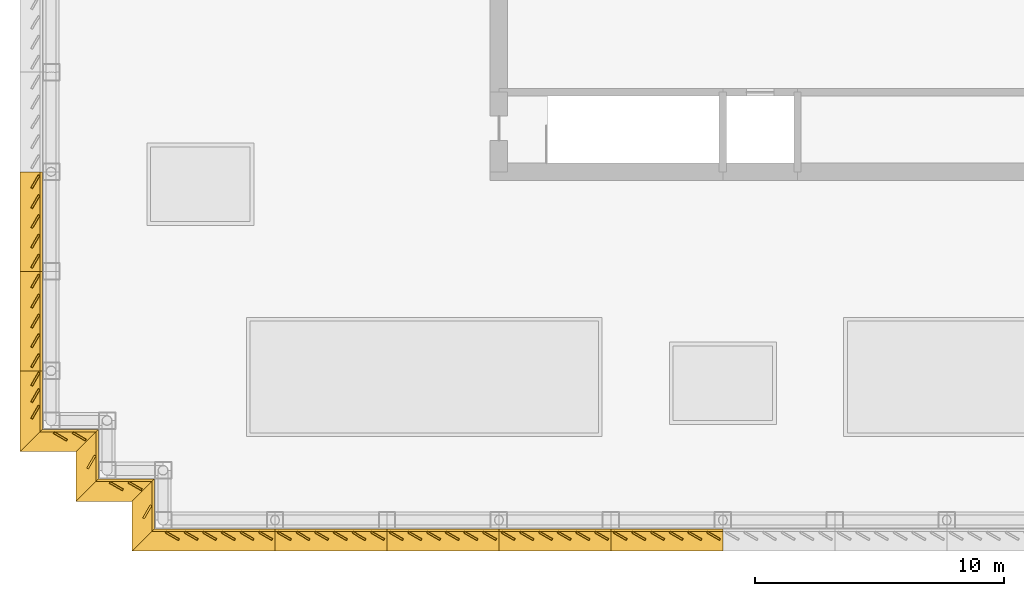
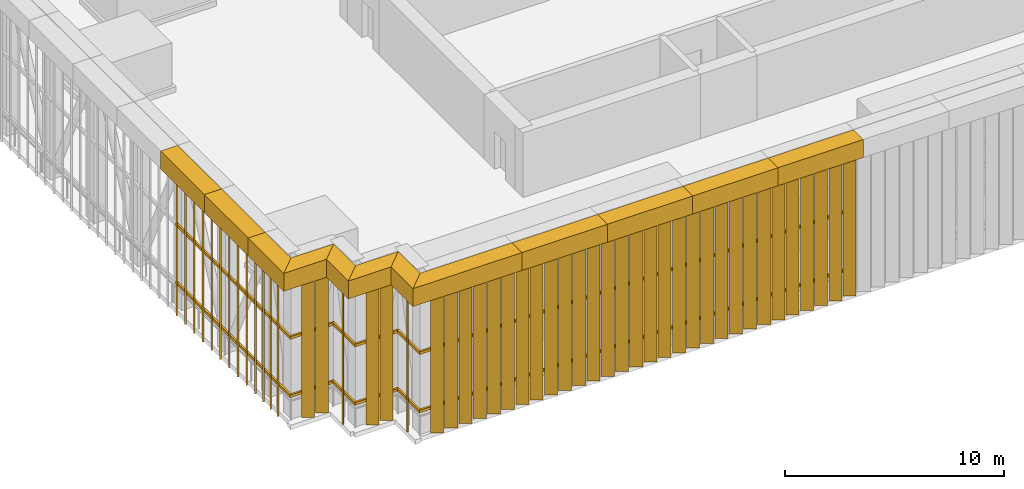
# One storey, part 3 of 11: 36 coverings.
"""IFC4 building model written with IfcOpenShell, lengths in metres."""

from ifc_helpers import new_model, si_unit, direction, frame, origin, place, context, subcontext, project, spatial, polyline, outline, extrude, material, layer, layer_set, type_object, element, save


model = new_model("IFC4")

# Units and contexts
model_context = context("Model", 3, precision=1e-05, world=origin(), true_north=direction((0.0, 1.0)))
body_context = subcontext(model_context, "Body", "Model", "MODEL_VIEW")
ifc_project = project(units=[si_unit("LENGTHUNIT", "METRE"), si_unit("AREAUNIT", "SQUARE_METRE"), si_unit("VOLUMEUNIT", "CUBIC_METRE"), si_unit("PLANEANGLEUNIT", "RADIAN"), si_unit("MASSUNIT", "GRAM", prefix="KILO")], contexts=[model_context])

# Site, building, storey
site_placement = place(None, origin())
site = spatial("IfcSite", under=ifc_project, at=site_placement, CompositionType="ELEMENT")
building_placement = place(site_placement, origin())
building = spatial("IfcBuilding", under=site, at=building_placement, Name="Rheinbord Bourse Tower", CompositionType="ELEMENT")
storey_placement = place(building_placement, frame((0.0, 0.0, 334.10009765625)))
storey = spatial("IfcBuildingStorey", under=building, at=storey_placement, Name="RF", CompositionType="ELEMENT", Elevation=334.10009765625)

# Coverings
ifc_material_1 = material(Name="Black aluminium coping on a steel frame", Category="steel")
ifc_layer_1 = layer(ifc_material_1, 1.0)
ifc_layer_set_1 = layer_set([ifc_layer_1], Name="CROWN CAP 900x1000")
covering_type_1 = type_object("IfcCoveringType", Name="CROWN CAP 900x1000", PredefinedType="USERDEFINED", material=ifc_layer_set_1)
covering_1_placement = place(storey_placement, frame((0.0, 0.0, 8.0)))
element("IfcCovering", 1, at=covering_1_placement, inside=storey, type_object=covering_type_1, Name="Crown cap SW-E-S-9", ObjectType="COPING", PredefinedType="USERDEFINED", context=body_context, shape_type="SweptSolid", body=[
    extrude(outline(polyline([(4.14990234375, 1.64990234375), (9.0, 1.64990234375), (9.0, 0.75), (3.25, 0.75), (4.14990234375, 1.64990234375)])), origin(), (0.0, 0.0, 1.0), 1.0),
])
covering_2_placement = place(storey_placement, frame((0.0, 0.0, 8.0)))
element("IfcCovering", 2, at=covering_2_placement, inside=storey, type_object=covering_type_1, Name="Crown cap S-9-S-13.5", ObjectType="COPING", PredefinedType="USERDEFINED", context=body_context, shape_type="SweptSolid", body=[
    extrude(outline(polyline([(9.0, 1.64990234375), (13.5, 1.64990234375), (13.5, 0.75), (9.0, 0.75), (9.0, 1.64990234375)])), origin(), (0.0, 0.0, 1.0), 1.0),
])
covering_3_placement = place(storey_placement, frame((0.0, 0.0, 8.0)))
element("IfcCovering", 3, at=covering_3_placement, inside=storey, type_object=covering_type_1, Name="Crown cap S-13.5-S-18", ObjectType="COPING", PredefinedType="USERDEFINED", context=body_context, shape_type="SweptSolid", body=[
    extrude(outline(polyline([(13.5, 1.64990234375), (18.0, 1.64990234375), (18.0, 0.75), (13.5, 0.75), (13.5, 1.64990234375)])), origin(), (0.0, 0.0, 1.0), 1.0),
])
covering_4_placement = place(storey_placement, frame((0.0, 0.0, 8.0)))
element("IfcCovering", 4, at=covering_4_placement, inside=storey, type_object=covering_type_1, Name="Crown cap S-18-S-22.5", ObjectType="COPING", PredefinedType="USERDEFINED", context=body_context, shape_type="SweptSolid", body=[
    extrude(outline(polyline([(18.0, 1.64990234375), (22.5, 1.64990234375), (22.5, 0.75), (18.0, 0.75), (18.0, 1.64990234375)])), origin(), (0.0, 0.0, 1.0), 1.0),
])
covering_5_placement = place(storey_placement, frame((0.0, 0.0, 8.0)))
element("IfcCovering", 5, at=covering_5_placement, inside=storey, type_object=covering_type_1, Name="Crown cap S-22.5-S-27", ObjectType="COPING", PredefinedType="USERDEFINED", context=body_context, shape_type="SweptSolid", body=[
    extrude(outline(polyline([(22.5, 1.64990234375), (27.0, 1.64990234375), (27.0, 0.75), (22.5, 0.75), (22.5, 1.64990234375)])), origin(), (0.0, 0.0, 1.0), 1.0),
])
covering_6_placement = place(storey_placement, frame((0.0, 0.0, 8.0)))
element("IfcCovering", 6, at=covering_6_placement, inside=storey, type_object=covering_type_1, Name="Crown cap W-16-W-12", ObjectType="COPING", PredefinedType="USERDEFINED", context=body_context, shape_type="SweptSolid", body=[
    extrude(outline(polyline([(-0.35009765625, 16.0), (-0.35009765625, 12.0), (-1.25, 12.0), (-1.25, 16.0), (-0.35009765625, 16.0)])), origin(), (0.0, 0.0, 1.0), 1.0),
])
covering_7_placement = place(storey_placement, frame((0.0, 0.0, 8.0)))
element("IfcCovering", 7, at=covering_7_placement, inside=storey, type_object=covering_type_1, Name="Crown cap W-12-W-8", ObjectType="COPING", PredefinedType="USERDEFINED", context=body_context, shape_type="SweptSolid", body=[
    extrude(outline(polyline([(-0.35009765625, 12.0), (-0.35009765625, 8.0), (-1.25, 8.0), (-1.25, 12.0), (-0.35009765625, 12.0)])), origin(), (0.0, 0.0, 1.0), 1.0),
])
covering_8_placement = place(storey_placement, frame((0.0, 0.0, 8.0)))
element("IfcCovering", 8, at=covering_8_placement, inside=storey, type_object=covering_type_1, Name="Crown cap W-8-SW-A", ObjectType="COPING", PredefinedType="USERDEFINED", context=body_context, shape_type="SweptSolid", body=[
    extrude(outline(polyline([(-0.35009765625, 8.0), (-0.35009765625, 5.64990234375), (-1.25, 4.75), (-1.25, 8.0), (-0.35009765625, 8.0)])), origin(), (0.0, 0.0, 1.0), 1.0),
])
covering_9_placement = place(storey_placement, frame((0.0, 0.0, 8.0)))
element("IfcCovering", 9, at=covering_9_placement, inside=storey, type_object=covering_type_1, Name="Crown cap SW-A-SW-B", ObjectType="COPING", PredefinedType="USERDEFINED", context=body_context, shape_type="SweptSolid", body=[
    extrude(outline(polyline([(-0.35009765625, 5.64990234375), (1.89990234375, 5.64990234375), (1.0, 4.75), (-1.25, 4.75), (-0.35009765625, 5.64990234375)])), origin(), (0.0, 0.0, 1.0), 1.0),
])
covering_10_placement = place(storey_placement, frame((0.0, 0.0, 8.0)))
element("IfcCovering", 10, at=covering_10_placement, inside=storey, type_object=covering_type_1, Name="Crown cap SW-B-SW-C", ObjectType="COPING", PredefinedType="USERDEFINED", context=body_context, shape_type="SweptSolid", body=[
    extrude(outline(polyline([(1.89990234375, 5.64990234375), (1.89990234375, 3.64990234375), (1.0, 2.75), (1.0, 4.75), (1.89990234375, 5.64990234375)])), origin(), (0.0, 0.0, 1.0), 1.0),
])
covering_11_placement = place(storey_placement, frame((0.0, 0.0, 8.0)))
element("IfcCovering", 11, at=covering_11_placement, inside=storey, type_object=covering_type_1, Name="Crown cap SW-C-SW-D", ObjectType="COPING", PredefinedType="USERDEFINED", context=body_context, shape_type="SweptSolid", body=[
    extrude(outline(polyline([(1.89990234375, 3.64990234375), (4.14990234375, 3.64990234375), (3.25, 2.75), (1.0, 2.75), (1.89990234375, 3.64990234375)])), origin(), (0.0, 0.0, 1.0), 1.0),
])
covering_12_placement = place(storey_placement, frame((0.0, 0.0, 8.0)))
element("IfcCovering", 12, at=covering_12_placement, inside=storey, type_object=covering_type_1, Name="Crown cap SW-D-SW-E", ObjectType="COPING", PredefinedType="USERDEFINED", context=body_context, shape_type="SweptSolid", body=[
    extrude(outline(polyline([(4.14990234375, 3.64990234375), (4.14990234375, 1.64990234375), (3.25, 0.75), (3.25, 2.75), (4.14990234375, 3.64990234375)])), origin(), (0.0, 0.0, 1.0), 1.0),
])
ifc_material_2 = material(Name="Black anodised aluminium", Category="aluminium")
ifc_layer_2 = layer(ifc_material_2, 0.080078125)
ifc_layer_set_2 = layer_set([ifc_layer_2], Name="CROWN SCREEN BLADE 600x80")
covering_type_2 = type_object("IfcCoveringType", Name="CROWN SCREEN BLADE 600x80", PredefinedType="USERDEFINED", material=ifc_layer_set_2)
covering_13_placement = place(storey_placement, frame((0.0, 0.0, 0.0498046875)))
element("IfcCovering", 13, at=covering_13_placement, inside=storey, type_object=covering_type_2, Name="Crown screen blades SW-E-S-9", ObjectType="LOUVRE", PredefinedType="USERDEFINED", context=body_context, shape_type="SweptSolid", body=[
    extrude(outline(polyline([(4.635009765625, 1.550048828125), (5.155029296875, 1.25), (5.114990234375, 1.180908203125), (4.594970703125, 1.48095703125), (4.635009765625, 1.550048828125)])), origin(), (0.0, 0.0, 1.0), 7.9501953125),
    extrude(outline(polyline([(5.385009765625, 1.550048828125), (5.905029296875, 1.25), (5.864990234375, 1.180908203125), (5.344970703125, 1.48095703125), (5.385009765625, 1.550048828125)])), origin(), (0.0, 0.0, 1.0), 7.9501953125),
    extrude(outline(polyline([(6.135009765625, 1.550048828125), (6.655029296875, 1.25), (6.614990234375, 1.180908203125), (6.094970703125, 1.48095703125), (6.135009765625, 1.550048828125)])), origin(), (0.0, 0.0, 1.0), 7.9501953125),
    extrude(outline(polyline([(6.885009765625, 1.550048828125), (7.405029296875, 1.25), (7.364990234375, 1.180908203125), (6.844970703125, 1.48095703125), (6.885009765625, 1.550048828125)])), origin(), (0.0, 0.0, 1.0), 7.9501953125),
    extrude(outline(polyline([(7.635009765625, 1.550048828125), (8.155029296875, 1.25), (8.114990234375, 1.180908203125), (7.594970703125, 1.48095703125), (7.635009765625, 1.550048828125)])), origin(), (0.0, 0.0, 1.0), 7.9501953125),
    extrude(outline(polyline([(8.385009765625, 1.550048828125), (8.905029296875, 1.25), (8.864990234375, 1.180908203125), (8.344970703125, 1.48095703125), (8.385009765625, 1.550048828125)])), origin(), (0.0, 0.0, 1.0), 7.9501953125),
])
covering_14_placement = place(storey_placement, frame((0.0, 0.0, 0.0498046875)))
element("IfcCovering", 14, at=covering_14_placement, inside=storey, type_object=covering_type_2, Name="Crown screen blades S-9-S-13.5", ObjectType="LOUVRE", PredefinedType="USERDEFINED", context=body_context, shape_type="SweptSolid", body=[
    extrude(outline(polyline([(9.135009765625, 1.550048828125), (9.655029296875, 1.25), (9.614990234375, 1.180908203125), (9.094970703125, 1.48095703125), (9.135009765625, 1.550048828125)])), origin(), (0.0, 0.0, 1.0), 7.9501953125),
    extrude(outline(polyline([(9.885009765625, 1.550048828125), (10.405029296875, 1.25), (10.364990234375, 1.180908203125), (9.844970703125, 1.48095703125), (9.885009765625, 1.550048828125)])), origin(), (0.0, 0.0, 1.0), 7.9501953125),
    extrude(outline(polyline([(10.635009765625, 1.550048828125), (11.155029296875, 1.25), (11.114990234375, 1.180908203125), (10.594970703125, 1.48095703125), (10.635009765625, 1.550048828125)])), origin(), (0.0, 0.0, 1.0), 7.9501953125),
    extrude(outline(polyline([(11.385009765625, 1.550048828125), (11.905029296875, 1.25), (11.864990234375, 1.180908203125), (11.344970703125, 1.48095703125), (11.385009765625, 1.550048828125)])), origin(), (0.0, 0.0, 1.0), 7.9501953125),
    extrude(outline(polyline([(12.135009765625, 1.550048828125), (12.655029296875, 1.25), (12.614990234375, 1.180908203125), (12.094970703125, 1.48095703125), (12.135009765625, 1.550048828125)])), origin(), (0.0, 0.0, 1.0), 7.9501953125),
    extrude(outline(polyline([(12.885009765625, 1.550048828125), (13.405029296875, 1.25), (13.364990234375, 1.180908203125), (12.844970703125, 1.48095703125), (12.885009765625, 1.550048828125)])), origin(), (0.0, 0.0, 1.0), 7.9501953125),
])
covering_15_placement = place(storey_placement, frame((0.0, 0.0, 0.0498046875)))
element("IfcCovering", 15, at=covering_15_placement, inside=storey, type_object=covering_type_2, Name="Crown screen blades S-13.5-S-18", ObjectType="LOUVRE", PredefinedType="USERDEFINED", context=body_context, shape_type="SweptSolid", body=[
    extrude(outline(polyline([(13.635009765625, 1.550048828125), (14.155029296875, 1.25), (14.114990234375, 1.180908203125), (13.594970703125, 1.48095703125), (13.635009765625, 1.550048828125)])), origin(), (0.0, 0.0, 1.0), 7.9501953125),
    extrude(outline(polyline([(14.385009765625, 1.550048828125), (14.905029296875, 1.25), (14.864990234375, 1.180908203125), (14.344970703125, 1.48095703125), (14.385009765625, 1.550048828125)])), origin(), (0.0, 0.0, 1.0), 7.9501953125),
    extrude(outline(polyline([(15.135009765625, 1.550048828125), (15.655029296875, 1.25), (15.614990234375, 1.180908203125), (15.094970703125, 1.48095703125), (15.135009765625, 1.550048828125)])), origin(), (0.0, 0.0, 1.0), 7.9501953125),
    extrude(outline(polyline([(15.885009765625, 1.550048828125), (16.405029296875, 1.25), (16.364990234375, 1.180908203125), (15.844970703125, 1.48095703125), (15.885009765625, 1.550048828125)])), origin(), (0.0, 0.0, 1.0), 7.9501953125),
    extrude(outline(polyline([(16.635009765625, 1.550048828125), (17.155029296875, 1.25), (17.114990234375, 1.180908203125), (16.594970703125, 1.48095703125), (16.635009765625, 1.550048828125)])), origin(), (0.0, 0.0, 1.0), 7.9501953125),
    extrude(outline(polyline([(17.385009765625, 1.550048828125), (17.905029296875, 1.25), (17.864990234375, 1.180908203125), (17.344970703125, 1.48095703125), (17.385009765625, 1.550048828125)])), origin(), (0.0, 0.0, 1.0), 7.9501953125),
])
covering_16_placement = place(storey_placement, frame((0.0, 0.0, 0.0498046875)))
element("IfcCovering", 16, at=covering_16_placement, inside=storey, type_object=covering_type_2, Name="Crown screen blades S-18-S-22.5", ObjectType="LOUVRE", PredefinedType="USERDEFINED", context=body_context, shape_type="SweptSolid", body=[
    extrude(outline(polyline([(18.135009765625, 1.550048828125), (18.655029296875, 1.25), (18.614990234375, 1.180908203125), (18.094970703125, 1.48095703125), (18.135009765625, 1.550048828125)])), origin(), (0.0, 0.0, 1.0), 7.9501953125),
    extrude(outline(polyline([(18.885009765625, 1.550048828125), (19.405029296875, 1.25), (19.364990234375, 1.180908203125), (18.844970703125, 1.48095703125), (18.885009765625, 1.550048828125)])), origin(), (0.0, 0.0, 1.0), 7.9501953125),
    extrude(outline(polyline([(19.635009765625, 1.550048828125), (20.155029296875, 1.25), (20.114990234375, 1.180908203125), (19.594970703125, 1.48095703125), (19.635009765625, 1.550048828125)])), origin(), (0.0, 0.0, 1.0), 7.9501953125),
    extrude(outline(polyline([(20.385009765625, 1.550048828125), (20.905029296875, 1.25), (20.864990234375, 1.180908203125), (20.344970703125, 1.48095703125), (20.385009765625, 1.550048828125)])), origin(), (0.0, 0.0, 1.0), 7.9501953125),
    extrude(outline(polyline([(21.135009765625, 1.550048828125), (21.655029296875, 1.25), (21.614990234375, 1.180908203125), (21.094970703125, 1.48095703125), (21.135009765625, 1.550048828125)])), origin(), (0.0, 0.0, 1.0), 7.9501953125),
    extrude(outline(polyline([(21.885009765625, 1.550048828125), (22.405029296875, 1.25), (22.364990234375, 1.180908203125), (21.844970703125, 1.48095703125), (21.885009765625, 1.550048828125)])), origin(), (0.0, 0.0, 1.0), 7.9501953125),
])
covering_17_placement = place(storey_placement, frame((0.0, 0.0, 0.0498046875)))
element("IfcCovering", 17, at=covering_17_placement, inside=storey, type_object=covering_type_2, Name="Crown screen blades S-22.5-S-27", ObjectType="LOUVRE", PredefinedType="USERDEFINED", context=body_context, shape_type="SweptSolid", body=[
    extrude(outline(polyline([(22.635009765625, 1.550048828125), (23.155029296875, 1.25), (23.114990234375, 1.180908203125), (22.594970703125, 1.48095703125), (22.635009765625, 1.550048828125)])), origin(), (0.0, 0.0, 1.0), 7.9501953125),
    extrude(outline(polyline([(23.385009765625, 1.550048828125), (23.905029296875, 1.25), (23.864990234375, 1.180908203125), (23.344970703125, 1.48095703125), (23.385009765625, 1.550048828125)])), origin(), (0.0, 0.0, 1.0), 7.9501953125),
    extrude(outline(polyline([(24.135009765625, 1.550048828125), (24.655029296875, 1.25), (24.614990234375, 1.180908203125), (24.094970703125, 1.48095703125), (24.135009765625, 1.550048828125)])), origin(), (0.0, 0.0, 1.0), 7.9501953125),
    extrude(outline(polyline([(24.885009765625, 1.550048828125), (25.405029296875, 1.25), (25.364990234375, 1.180908203125), (24.844970703125, 1.48095703125), (24.885009765625, 1.550048828125)])), origin(), (0.0, 0.0, 1.0), 7.9501953125),
    extrude(outline(polyline([(25.635009765625, 1.550048828125), (26.155029296875, 1.25), (26.114990234375, 1.180908203125), (25.594970703125, 1.48095703125), (25.635009765625, 1.550048828125)])), origin(), (0.0, 0.0, 1.0), 7.9501953125),
    extrude(outline(polyline([(26.385009765625, 1.550048828125), (26.905029296875, 1.25), (26.864990234375, 1.180908203125), (26.344970703125, 1.48095703125), (26.385009765625, 1.550048828125)])), origin(), (0.0, 0.0, 1.0), 7.9501953125),
])
covering_18_placement = place(storey_placement, frame((0.0, 0.0, 0.0498046875)))
element("IfcCovering", 18, at=covering_18_placement, inside=storey, type_object=covering_type_2, Name="Crown screen blades W-16-W-12", ObjectType="LOUVRE", PredefinedType="USERDEFINED", context=body_context, shape_type="SweptSolid", body=[
    extrude(outline(polyline([(-0.449951171875, 15.840087890625), (-0.75, 15.320068359375), (-0.819091796875, 15.360107421875), (-0.51904296875, 15.8798828125), (-0.449951171875, 15.840087890625)])), origin(), (0.0, 0.0, 1.0), 7.9501953125),
    extrude(outline(polyline([(-0.449951171875, 15.0400390625), (-0.75, 14.52001953125), (-0.819091796875, 14.56005859375), (-0.51904296875, 15.080078125), (-0.449951171875, 15.0400390625)])), origin(), (0.0, 0.0, 1.0), 7.9501953125),
    extrude(outline(polyline([(-0.449951171875, 14.239990234375), (-0.75, 13.719970703125), (-0.819091796875, 13.760009765625), (-0.51904296875, 14.280029296875), (-0.449951171875, 14.239990234375)])), origin(), (0.0, 0.0, 1.0), 7.9501953125),
    extrude(outline(polyline([(-0.449951171875, 13.43994140625), (-0.75, 12.919921875), (-0.819091796875, 12.9599609375), (-0.51904296875, 13.47998046875), (-0.449951171875, 13.43994140625)])), origin(), (0.0, 0.0, 1.0), 7.9501953125),
    extrude(outline(polyline([(-0.449951171875, 12.639892578125), (-0.75, 12.1201171875), (-0.819091796875, 12.159912109375), (-0.51904296875, 12.679931640625), (-0.449951171875, 12.639892578125)])), origin(), (0.0, 0.0, 1.0), 7.9501953125),
])
covering_19_placement = place(storey_placement, frame((0.0, 0.0, 0.0498046875)))
element("IfcCovering", 19, at=covering_19_placement, inside=storey, type_object=covering_type_2, Name="Crown screen blades W-12-W-8", ObjectType="LOUVRE", PredefinedType="USERDEFINED", context=body_context, shape_type="SweptSolid", body=[
    extrude(outline(polyline([(-0.449951171875, 11.840087890625), (-0.75, 11.320068359375), (-0.819091796875, 11.360107421875), (-0.51904296875, 11.8798828125), (-0.449951171875, 11.840087890625)])), origin(), (0.0, 0.0, 1.0), 7.9501953125),
    extrude(outline(polyline([(-0.449951171875, 11.0400390625), (-0.75, 10.52001953125), (-0.819091796875, 10.56005859375), (-0.51904296875, 11.080078125), (-0.449951171875, 11.0400390625)])), origin(), (0.0, 0.0, 1.0), 7.9501953125),
    extrude(outline(polyline([(-0.449951171875, 10.239990234375), (-0.75, 9.719970703125), (-0.819091796875, 9.760009765625), (-0.51904296875, 10.280029296875), (-0.449951171875, 10.239990234375)])), origin(), (0.0, 0.0, 1.0), 7.9501953125),
    extrude(outline(polyline([(-0.449951171875, 9.43994140625), (-0.75, 8.919921875), (-0.819091796875, 8.9599609375), (-0.51904296875, 9.47998046875), (-0.449951171875, 9.43994140625)])), origin(), (0.0, 0.0, 1.0), 7.9501953125),
    extrude(outline(polyline([(-0.449951171875, 8.639892578125), (-0.75, 8.1201171875), (-0.819091796875, 8.159912109375), (-0.51904296875, 8.679931640625), (-0.449951171875, 8.639892578125)])), origin(), (0.0, 0.0, 1.0), 7.9501953125),
])
covering_20_placement = place(storey_placement, frame((0.0, 0.0, 0.0498046875)))
element("IfcCovering", 20, at=covering_20_placement, inside=storey, type_object=covering_type_2, Name="Crown screen blades W-8-SW-A", ObjectType="LOUVRE", PredefinedType="USERDEFINED", context=body_context, shape_type="SweptSolid", body=[
    extrude(outline(polyline([(-0.449951171875, 7.906005859375), (-0.75, 7.386962890625), (-0.819091796875, 7.427001953125), (-0.51904296875, 7.946044921875), (-0.449951171875, 7.906005859375)])), origin(), (0.0, 0.0, 1.0), 7.9501953125),
    extrude(outline(polyline([(-0.449951171875, 7.239990234375), (-0.75, 6.719970703125), (-0.819091796875, 6.760009765625), (-0.51904296875, 7.280029296875), (-0.449951171875, 7.239990234375)])), origin(), (0.0, 0.0, 1.0), 7.9501953125),
    extrude(outline(polyline([(-0.449951171875, 6.572998046875), (-0.75, 6.053955078125), (-0.819091796875, 6.093994140625), (-0.51904296875, 6.613037109375), (-0.449951171875, 6.572998046875)])), origin(), (0.0, 0.0, 1.0), 7.9501953125),
])
covering_21_placement = place(storey_placement, frame((0.0, 0.0, 0.0498046875)))
element("IfcCovering", 21, at=covering_21_placement, inside=storey, type_object=covering_type_2, Name="Crown screen blades SW-A-SW-B", ObjectType="LOUVRE", PredefinedType="USERDEFINED", context=body_context, shape_type="SweptSolid", body=[
    extrude(outline(polyline([(0.135009765625, 5.550048828125), (0.655029296875, 5.25), (0.614990234375, 5.180908203125), (0.094970703125, 5.48095703125), (0.135009765625, 5.550048828125)])), origin(), (0.0, 0.0, 1.0), 7.9501953125),
    extrude(outline(polyline([(0.885009765625, 5.550048828125), (1.405029296875, 5.25), (1.364990234375, 5.180908203125), (0.844970703125, 5.48095703125), (0.885009765625, 5.550048828125)])), origin(), (0.0, 0.0, 1.0), 7.9501953125),
])
covering_22_placement = place(storey_placement, frame((0.0, 0.0, 0.0498046875)))
element("IfcCovering", 22, at=covering_22_placement, inside=storey, type_object=covering_type_2, Name="Crown screen blades SW-B-SW-C", ObjectType="LOUVRE", PredefinedType="USERDEFINED", context=body_context, shape_type="SweptSolid", body=[
    extrude(outline(polyline([(1.800048828125, 4.572998046875), (1.5, 4.053955078125), (1.430908203125, 4.093994140625), (1.73095703125, 4.613037109375), (1.800048828125, 4.572998046875)])), origin(), (0.0, 0.0, 1.0), 7.9501953125),
])
covering_23_placement = place(storey_placement, frame((0.0, 0.0, 0.0498046875)))
element("IfcCovering", 23, at=covering_23_placement, inside=storey, type_object=covering_type_2, Name="Crown screen blades SW-C-SW-D", ObjectType="LOUVRE", PredefinedType="USERDEFINED", context=body_context, shape_type="SweptSolid", body=[
    extrude(outline(polyline([(2.385009765625, 3.550048828125), (2.905029296875, 3.25), (2.864990234375, 3.180908203125), (2.344970703125, 3.48095703125), (2.385009765625, 3.550048828125)])), origin(), (0.0, 0.0, 1.0), 7.9501953125),
    extrude(outline(polyline([(3.135009765625, 3.550048828125), (3.655029296875, 3.25), (3.614990234375, 3.180908203125), (3.094970703125, 3.48095703125), (3.135009765625, 3.550048828125)])), origin(), (0.0, 0.0, 1.0), 7.9501953125),
])
covering_24_placement = place(storey_placement, frame((0.0, 0.0, 0.0498046875)))
element("IfcCovering", 24, at=covering_24_placement, inside=storey, type_object=covering_type_2, Name="Crown screen blades SW-D-SW-E", ObjectType="LOUVRE", PredefinedType="USERDEFINED", context=body_context, shape_type="SweptSolid", body=[
    extrude(outline(polyline([(4.050048828125, 2.572998046875), (3.75, 2.053955078125), (3.680908203125, 2.093994140625), (3.98095703125, 2.613037109375), (4.050048828125, 2.572998046875)])), origin(), (0.0, 0.0, 1.0), 7.9501953125),
])
ifc_material_3 = material(Name="Black powder-coated steel", Category="steel")
ifc_layer_3 = layer(ifc_material_3, 0.10009765625)
ifc_layer_set_3 = layer_set([ifc_layer_3], Name="CROWN SCREEN RAIL 150x100")
covering_type_3 = type_object("IfcCoveringType", Name="CROWN SCREEN RAIL 150x100", PredefinedType="USERDEFINED", material=ifc_layer_set_3)
covering_25_placement = place(storey_placement, frame((0.0, 0.0, 1.2998046875)))
element("IfcCovering", 25, at=covering_25_placement, inside=storey, type_object=covering_type_3, Name="Crown screen rails SW-E-S-9", ObjectType="LOUVRE RAIL", PredefinedType="USERDEFINED", context=body_context, shape_type="SweptSolid", body=[
    extrude(outline(polyline([(4.14990234375, 1.64990234375), (9.0, 1.64990234375), (9.0, 1.550048828125), (4.050048828125, 1.550048828125), (4.14990234375, 1.64990234375)])), origin(), (0.0, 0.0, 1.0), 0.150146484375),
    extrude(outline(polyline([(4.14990234375, 1.64990234375), (9.0, 1.64990234375), (9.0, 1.550048828125), (4.050048828125, 1.550048828125), (4.14990234375, 1.64990234375)])), frame((0.0, 0.0, 3.25)), (0.0, 0.0, 1.0), 0.150146484375),
    extrude(outline(polyline([(4.14990234375, 1.64990234375), (9.0, 1.64990234375), (9.0, 1.550048828125), (4.050048828125, 1.550048828125), (4.14990234375, 1.64990234375)])), frame((0.0, 0.0, 6.4501953125)), (0.0, 0.0, 1.0), 0.14990234375),
])
covering_26_placement = place(storey_placement, frame((0.0, 0.0, 1.2998046875)))
element("IfcCovering", 26, at=covering_26_placement, inside=storey, type_object=covering_type_3, Name="Crown screen rails S-9-S-13.5", ObjectType="LOUVRE RAIL", PredefinedType="USERDEFINED", context=body_context, shape_type="SweptSolid", body=[
    extrude(outline(polyline([(9.0, 1.64990234375), (13.5, 1.64990234375), (13.5, 1.550048828125), (9.0, 1.550048828125), (9.0, 1.64990234375)])), origin(), (0.0, 0.0, 1.0), 0.150146484375),
    extrude(outline(polyline([(9.0, 1.64990234375), (13.5, 1.64990234375), (13.5, 1.550048828125), (9.0, 1.550048828125), (9.0, 1.64990234375)])), frame((0.0, 0.0, 3.25)), (0.0, 0.0, 1.0), 0.150146484375),
    extrude(outline(polyline([(9.0, 1.64990234375), (13.5, 1.64990234375), (13.5, 1.550048828125), (9.0, 1.550048828125), (9.0, 1.64990234375)])), frame((0.0, 0.0, 6.4501953125)), (0.0, 0.0, 1.0), 0.14990234375),
])
covering_27_placement = place(storey_placement, frame((0.0, 0.0, 1.2998046875)))
element("IfcCovering", 27, at=covering_27_placement, inside=storey, type_object=covering_type_3, Name="Crown screen rails S-13.5-S-18", ObjectType="LOUVRE RAIL", PredefinedType="USERDEFINED", context=body_context, shape_type="SweptSolid", body=[
    extrude(outline(polyline([(13.5, 1.64990234375), (18.0, 1.64990234375), (18.0, 1.550048828125), (13.5, 1.550048828125), (13.5, 1.64990234375)])), origin(), (0.0, 0.0, 1.0), 0.150146484375),
    extrude(outline(polyline([(13.5, 1.64990234375), (18.0, 1.64990234375), (18.0, 1.550048828125), (13.5, 1.550048828125), (13.5, 1.64990234375)])), frame((0.0, 0.0, 3.25)), (0.0, 0.0, 1.0), 0.150146484375),
    extrude(outline(polyline([(13.5, 1.64990234375), (18.0, 1.64990234375), (18.0, 1.550048828125), (13.5, 1.550048828125), (13.5, 1.64990234375)])), frame((0.0, 0.0, 6.4501953125)), (0.0, 0.0, 1.0), 0.14990234375),
])
covering_28_placement = place(storey_placement, frame((0.0, 0.0, 1.2998046875)))
element("IfcCovering", 28, at=covering_28_placement, inside=storey, type_object=covering_type_3, Name="Crown screen rails S-18-S-22.5", ObjectType="LOUVRE RAIL", PredefinedType="USERDEFINED", context=body_context, shape_type="SweptSolid", body=[
    extrude(outline(polyline([(18.0, 1.64990234375), (22.5, 1.64990234375), (22.5, 1.550048828125), (18.0, 1.550048828125), (18.0, 1.64990234375)])), origin(), (0.0, 0.0, 1.0), 0.150146484375),
    extrude(outline(polyline([(18.0, 1.64990234375), (22.5, 1.64990234375), (22.5, 1.550048828125), (18.0, 1.550048828125), (18.0, 1.64990234375)])), frame((0.0, 0.0, 3.25)), (0.0, 0.0, 1.0), 0.150146484375),
    extrude(outline(polyline([(18.0, 1.64990234375), (22.5, 1.64990234375), (22.5, 1.550048828125), (18.0, 1.550048828125), (18.0, 1.64990234375)])), frame((0.0, 0.0, 6.4501953125)), (0.0, 0.0, 1.0), 0.14990234375),
])
covering_29_placement = place(storey_placement, frame((0.0, 0.0, 1.2998046875)))
element("IfcCovering", 29, at=covering_29_placement, inside=storey, type_object=covering_type_3, Name="Crown screen rails S-22.5-S-27", ObjectType="LOUVRE RAIL", PredefinedType="USERDEFINED", context=body_context, shape_type="SweptSolid", body=[
    extrude(outline(polyline([(22.5, 1.64990234375), (27.0, 1.64990234375), (27.0, 1.550048828125), (22.5, 1.550048828125), (22.5, 1.64990234375)])), origin(), (0.0, 0.0, 1.0), 0.150146484375),
    extrude(outline(polyline([(22.5, 1.64990234375), (27.0, 1.64990234375), (27.0, 1.550048828125), (22.5, 1.550048828125), (22.5, 1.64990234375)])), frame((0.0, 0.0, 3.25)), (0.0, 0.0, 1.0), 0.150146484375),
    extrude(outline(polyline([(22.5, 1.64990234375), (27.0, 1.64990234375), (27.0, 1.550048828125), (22.5, 1.550048828125), (22.5, 1.64990234375)])), frame((0.0, 0.0, 6.4501953125)), (0.0, 0.0, 1.0), 0.14990234375),
])
covering_30_placement = place(storey_placement, frame((0.0, 0.0, 1.2998046875)))
element("IfcCovering", 30, at=covering_30_placement, inside=storey, type_object=covering_type_3, Name="Crown screen rails W-16-W-12", ObjectType="LOUVRE RAIL", PredefinedType="USERDEFINED", context=body_context, shape_type="SweptSolid", body=[
    extrude(outline(polyline([(-0.35009765625, 16.0), (-0.35009765625, 12.0), (-0.449951171875, 12.0), (-0.449951171875, 16.0), (-0.35009765625, 16.0)])), origin(), (0.0, 0.0, 1.0), 0.150146484375),
    extrude(outline(polyline([(-0.35009765625, 16.0), (-0.35009765625, 12.0), (-0.449951171875, 12.0), (-0.449951171875, 16.0), (-0.35009765625, 16.0)])), frame((0.0, 0.0, 3.25)), (0.0, 0.0, 1.0), 0.150146484375),
    extrude(outline(polyline([(-0.35009765625, 16.0), (-0.35009765625, 12.0), (-0.449951171875, 12.0), (-0.449951171875, 16.0), (-0.35009765625, 16.0)])), frame((0.0, 0.0, 6.4501953125)), (0.0, 0.0, 1.0), 0.14990234375),
])
covering_31_placement = place(storey_placement, frame((0.0, 0.0, 1.2998046875)))
element("IfcCovering", 31, at=covering_31_placement, inside=storey, type_object=covering_type_3, Name="Crown screen rails W-12-W-8", ObjectType="LOUVRE RAIL", PredefinedType="USERDEFINED", context=body_context, shape_type="SweptSolid", body=[
    extrude(outline(polyline([(-0.35009765625, 12.0), (-0.35009765625, 8.0), (-0.449951171875, 8.0), (-0.449951171875, 12.0), (-0.35009765625, 12.0)])), origin(), (0.0, 0.0, 1.0), 0.150146484375),
    extrude(outline(polyline([(-0.35009765625, 12.0), (-0.35009765625, 8.0), (-0.449951171875, 8.0), (-0.449951171875, 12.0), (-0.35009765625, 12.0)])), frame((0.0, 0.0, 3.25)), (0.0, 0.0, 1.0), 0.150146484375),
    extrude(outline(polyline([(-0.35009765625, 12.0), (-0.35009765625, 8.0), (-0.449951171875, 8.0), (-0.449951171875, 12.0), (-0.35009765625, 12.0)])), frame((0.0, 0.0, 6.4501953125)), (0.0, 0.0, 1.0), 0.14990234375),
])
covering_32_placement = place(storey_placement, frame((0.0, 0.0, 1.2998046875)))
element("IfcCovering", 32, at=covering_32_placement, inside=storey, type_object=covering_type_3, Name="Crown screen rails W-8-SW-A", ObjectType="LOUVRE RAIL", PredefinedType="USERDEFINED", context=body_context, shape_type="SweptSolid", body=[
    extrude(outline(polyline([(-0.35009765625, 8.0), (-0.35009765625, 5.64990234375), (-0.449951171875, 5.550048828125), (-0.449951171875, 8.0), (-0.35009765625, 8.0)])), origin(), (0.0, 0.0, 1.0), 0.150146484375),
    extrude(outline(polyline([(-0.35009765625, 8.0), (-0.35009765625, 5.64990234375), (-0.449951171875, 5.550048828125), (-0.449951171875, 8.0), (-0.35009765625, 8.0)])), frame((0.0, 0.0, 3.25)), (0.0, 0.0, 1.0), 0.150146484375),
    extrude(outline(polyline([(-0.35009765625, 8.0), (-0.35009765625, 5.64990234375), (-0.449951171875, 5.550048828125), (-0.449951171875, 8.0), (-0.35009765625, 8.0)])), frame((0.0, 0.0, 6.4501953125)), (0.0, 0.0, 1.0), 0.14990234375),
])
covering_33_placement = place(storey_placement, frame((0.0, 0.0, 1.2998046875)))
element("IfcCovering", 33, at=covering_33_placement, inside=storey, type_object=covering_type_3, Name="Crown screen rails SW-A-SW-B", ObjectType="LOUVRE RAIL", PredefinedType="USERDEFINED", context=body_context, shape_type="SweptSolid", body=[
    extrude(outline(polyline([(-0.35009765625, 5.64990234375), (1.89990234375, 5.64990234375), (1.800048828125, 5.550048828125), (-0.449951171875, 5.550048828125), (-0.35009765625, 5.64990234375)])), origin(), (0.0, 0.0, 1.0), 0.150146484375),
    extrude(outline(polyline([(-0.35009765625, 5.64990234375), (1.89990234375, 5.64990234375), (1.800048828125, 5.550048828125), (-0.449951171875, 5.550048828125), (-0.35009765625, 5.64990234375)])), frame((0.0, 0.0, 3.25)), (0.0, 0.0, 1.0), 0.150146484375),
    extrude(outline(polyline([(-0.35009765625, 5.64990234375), (1.89990234375, 5.64990234375), (1.800048828125, 5.550048828125), (-0.449951171875, 5.550048828125), (-0.35009765625, 5.64990234375)])), frame((0.0, 0.0, 6.4501953125)), (0.0, 0.0, 1.0), 0.14990234375),
])
covering_34_placement = place(storey_placement, frame((0.0, 0.0, 1.2998046875)))
element("IfcCovering", 34, at=covering_34_placement, inside=storey, type_object=covering_type_3, Name="Crown screen rails SW-B-SW-C", ObjectType="LOUVRE RAIL", PredefinedType="USERDEFINED", context=body_context, shape_type="SweptSolid", body=[
    extrude(outline(polyline([(1.89990234375, 5.64990234375), (1.89990234375, 3.64990234375), (1.800048828125, 3.550048828125), (1.800048828125, 5.550048828125), (1.89990234375, 5.64990234375)])), origin(), (0.0, 0.0, 1.0), 0.150146484375),
    extrude(outline(polyline([(1.89990234375, 5.64990234375), (1.89990234375, 3.64990234375), (1.800048828125, 3.550048828125), (1.800048828125, 5.550048828125), (1.89990234375, 5.64990234375)])), frame((0.0, 0.0, 3.25)), (0.0, 0.0, 1.0), 0.150146484375),
    extrude(outline(polyline([(1.89990234375, 5.64990234375), (1.89990234375, 3.64990234375), (1.800048828125, 3.550048828125), (1.800048828125, 5.550048828125), (1.89990234375, 5.64990234375)])), frame((0.0, 0.0, 6.4501953125)), (0.0, 0.0, 1.0), 0.14990234375),
])
covering_35_placement = place(storey_placement, frame((0.0, 0.0, 1.2998046875)))
element("IfcCovering", 35, at=covering_35_placement, inside=storey, type_object=covering_type_3, Name="Crown screen rails SW-C-SW-D", ObjectType="LOUVRE RAIL", PredefinedType="USERDEFINED", context=body_context, shape_type="SweptSolid", body=[
    extrude(outline(polyline([(1.89990234375, 3.64990234375), (4.14990234375, 3.64990234375), (4.050048828125, 3.550048828125), (1.800048828125, 3.550048828125), (1.89990234375, 3.64990234375)])), origin(), (0.0, 0.0, 1.0), 0.150146484375),
    extrude(outline(polyline([(1.89990234375, 3.64990234375), (4.14990234375, 3.64990234375), (4.050048828125, 3.550048828125), (1.800048828125, 3.550048828125), (1.89990234375, 3.64990234375)])), frame((0.0, 0.0, 3.25)), (0.0, 0.0, 1.0), 0.150146484375),
    extrude(outline(polyline([(1.89990234375, 3.64990234375), (4.14990234375, 3.64990234375), (4.050048828125, 3.550048828125), (1.800048828125, 3.550048828125), (1.89990234375, 3.64990234375)])), frame((0.0, 0.0, 6.4501953125)), (0.0, 0.0, 1.0), 0.14990234375),
])
covering_36_placement = place(storey_placement, frame((0.0, 0.0, 1.2998046875)))
element("IfcCovering", 36, at=covering_36_placement, inside=storey, type_object=covering_type_3, Name="Crown screen rails SW-D-SW-E", ObjectType="LOUVRE RAIL", PredefinedType="USERDEFINED", context=body_context, shape_type="SweptSolid", body=[
    extrude(outline(polyline([(4.14990234375, 3.64990234375), (4.14990234375, 1.64990234375), (4.050048828125, 1.550048828125), (4.050048828125, 3.550048828125), (4.14990234375, 3.64990234375)])), origin(), (0.0, 0.0, 1.0), 0.150146484375),
    extrude(outline(polyline([(4.14990234375, 3.64990234375), (4.14990234375, 1.64990234375), (4.050048828125, 1.550048828125), (4.050048828125, 3.550048828125), (4.14990234375, 3.64990234375)])), frame((0.0, 0.0, 3.25)), (0.0, 0.0, 1.0), 0.150146484375),
    extrude(outline(polyline([(4.14990234375, 3.64990234375), (4.14990234375, 1.64990234375), (4.050048828125, 1.550048828125), (4.050048828125, 3.550048828125), (4.14990234375, 3.64990234375)])), frame((0.0, 0.0, 6.4501953125)), (0.0, 0.0, 1.0), 0.14990234375),
])

save(model, "model.ifc")
